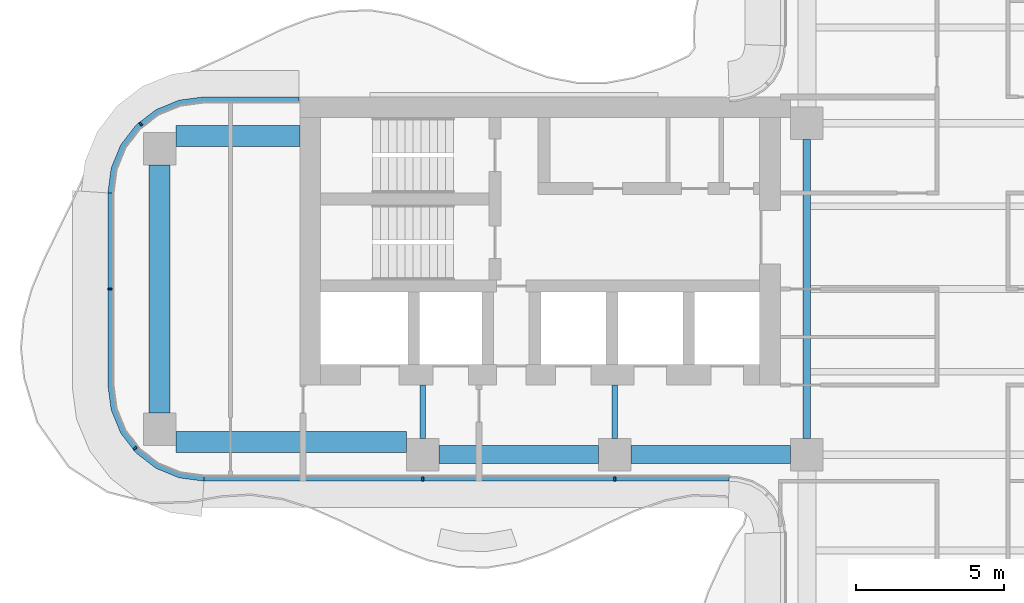
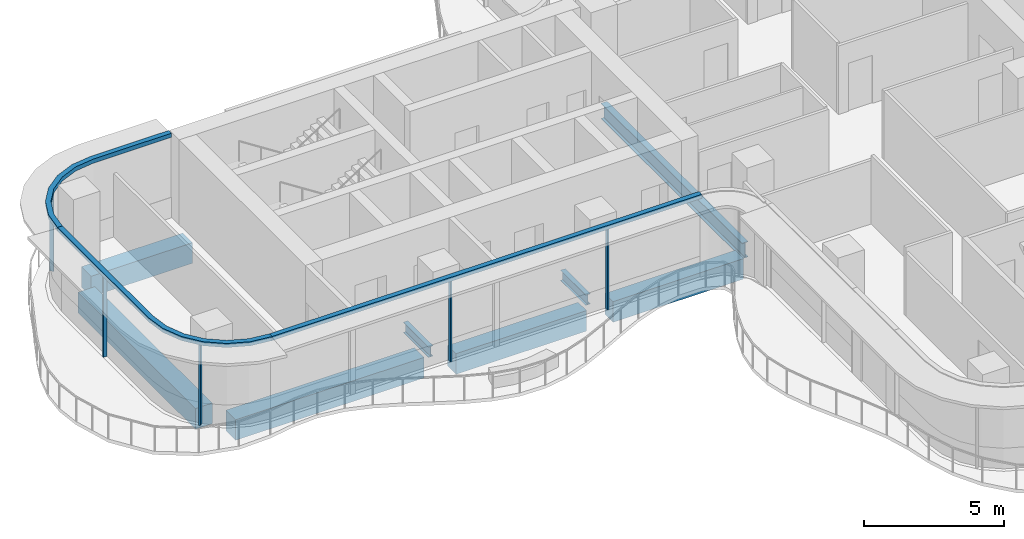
# One storey, part 3 of 16: 8 beams, 8 members, 3 elements without a shape of their own.
"""IFC4 building model written with IfcOpenShell, lengths in metres."""

from ifc_helpers import new_model, si_unit, direction, frame, origin, origin_2d, place, context, subcontext, project, spatial, polyline, rectangle, i_section, outline, extrude, source, transform, mapped, material, layer, layer_set, material_profile, profile_set, type_object, element, aggregate, save


model = new_model("IFC4")

# Units and contexts
model_context = context("Model", 3, precision=1e-05, world=origin(), true_north=direction((0.0, 1.0)))
body_context = subcontext(model_context, "Body", "Model", "MODEL_VIEW")
ifc_project = project(units=[si_unit("LENGTHUNIT", "METRE"), si_unit("AREAUNIT", "SQUARE_METRE"), si_unit("VOLUMEUNIT", "CUBIC_METRE"), si_unit("PLANEANGLEUNIT", "RADIAN"), si_unit("MASSUNIT", "GRAM", prefix="KILO")], contexts=[model_context])

# Site, building, storey
site_placement = place(None, origin())
site = spatial("IfcSite", under=ifc_project, at=site_placement, CompositionType="ELEMENT")
building_placement = place(site_placement, origin())
building = spatial("IfcBuilding", under=site, at=building_placement, Name="Trellis Farm Tower", CompositionType="ELEMENT")
storey_placement = place(building_placement, frame((0.0, 0.0, 248.0)))
storey = spatial("IfcBuildingStorey", under=building, at=storey_placement, Name="L55", CompositionType="ELEMENT", Elevation=248.0)

# Beams
ifc_material_1 = material(Name="Steel S355", Category="steel")
ifc_material_profile_1 = material_profile(ifc_material_1, i_section(OverallWidth=0.253662109375, OverallDepth=0.68359375, WebThickness=0.012451171875, FlangeThickness=0.021728515625, FilletRadius=0.01513671875, at=origin_2d()), Name="UB 686x254x140")
ifc_profile_set_1 = profile_set([ifc_material_profile_1], Name="Steel S355")
beam_type_1 = type_object("IfcBeamType", Name="UB 686x254x140", PredefinedType="BEAM", material=ifc_profile_set_1)
shared_shape_1 = source(origin(), body_context, "Body", "SweptSolid", [
    extrude(i_section(OverallWidth=0.253662109375, OverallDepth=0.68359375, WebThickness=0.012451171875, FlangeThickness=0.021728515625, FilletRadius=0.01513671875, at=origin_2d()), origin(), (0.0, 0.0, 1.0), 10.10009765625),
])
beam_1_placement = place(storey_placement, frame((-5.60009765625, -5.050048828125, -0.541748046875), z_axis=(0.0, 1.0, 0.0), x_axis=(-1.0, 0.0, 0.0)))
element("IfcBeam", 1, at=beam_1_placement, inside=storey, type_object=beam_type_1, Name="Girder", PredefinedType="BEAM", context=body_context, shape_type="MappedRepresentation", body=[
    mapped(shared_shape_1, transform((0.0, 0.0, 0.0))),
])
ifc_material_profile_2 = material_profile(ifc_material_1, i_section(OverallWidth=0.1904296875, OverallDepth=0.45703125, WebThickness=0.009033203125, FlangeThickness=0.014404296875, FilletRadius=0.01025390625, at=origin_2d()), Name="UB 457x191x74")
ifc_profile_set_2 = profile_set([ifc_material_profile_2], Name="Steel S355")
beam_type_2 = type_object("IfcBeamType", Name="UB 457x191x74", PredefinedType="BEAM", material=ifc_profile_set_2)
shared_shape_2 = source(origin(), body_context, "Body", "SweptSolid", [
    extrude(i_section(OverallWidth=0.1904296875, OverallDepth=0.45703125, WebThickness=0.009033203125, FlangeThickness=0.014404296875, FilletRadius=0.01025390625, at=origin_2d()), origin(), (0.0, 0.0, 1.0), 1.800048828125),
])
for number, where, z_axis, x_axis, name in (
    (2, (-18.60009765625, -5.050048828125, -0.428466796875), (0.0, 1.0, 0.0), (-1.0, 0.0, 0.0), "Girder"),
    (3, (-12.10009765625, -5.050048828125, -0.428466796875), (0.0, 1.0, 0.0), (-1.0, 0.0, 0.0), "Girder"),
):
    element("IfcBeam", number, at=place(storey_placement, frame(where, z_axis=z_axis, x_axis=x_axis)), inside=storey, type_object=beam_type_2, Name=name, PredefinedType="BEAM", context=body_context, shape_type="MappedRepresentation", body=[
        mapped(shared_shape_2, transform((0.0, 0.0, 0.0))),
    ])
ifc_material_2 = material(Name="Concrete C60/75", Category="concrete")
ifc_material_profile_3 = material_profile(ifc_material_2, rectangle(XDim=0.60009765625, YDim=0.89990234375, at=origin_2d()), Name="RC spandrel beam 600x900 C60/75")
ifc_profile_set_3 = profile_set([ifc_material_profile_3], Name="Concrete C60/75")
beam_type_3 = type_object("IfcBeamType", Name="RC spandrel beam 600x900 C60/75", PredefinedType="SPANDREL", material=ifc_profile_set_3)
shared_shape_3 = source(origin(), body_context, "Body", "SweptSolid", [
    extrude(rectangle(XDim=0.60009765625, YDim=0.89990234375, at=origin_2d()), origin(), (0.0, 0.0, 1.0), 5.400146484375),
])
for number, where, z_axis, x_axis, name in (
    (4, (-18.050048828125, -5.60009765625, -0.64990234375), (1.0, 0.0, 0.0), (0.0, 1.0, 0.0), "Girder"),
    (5, (-11.550048828125, -5.60009765625, -0.64990234375), (1.0, 0.0, 0.0), (0.0, 1.0, 0.0), "Girder"),
):
    element("IfcBeam", number, at=place(storey_placement, frame(where, z_axis=z_axis, x_axis=x_axis)), inside=storey, type_object=beam_type_3, Name=name, PredefinedType="SPANDREL", context=body_context, shape_type="MappedRepresentation", body=[
        mapped(shared_shape_3, transform((0.0, 0.0, 0.0))),
    ])
ifc_material_profile_4 = material_profile(ifc_material_2, rectangle(XDim=0.699951171875, YDim=0.89990234375, at=origin_2d()), Name="RC spandrel beam 700x900 C60/75")
ifc_profile_set_4 = profile_set([ifc_material_profile_4], Name="Concrete C60/75")
beam_type_4 = type_object("IfcBeamType", Name="RC spandrel beam 700x900 C60/75", PredefinedType="SPANDREL", material=ifc_profile_set_4)
shared_shape_4 = source(origin(), body_context, "Body", "SweptSolid", [
    extrude(rectangle(XDim=0.699951171875, YDim=0.89990234375, at=origin_2d()), origin(), (0.0, 0.0, 1.0), 8.39990234375),
])
beam_2_placement = place(storey_placement, frame((-27.5, -4.199951171875, -0.64990234375), z_axis=(0.0, 1.0, 0.0), x_axis=(-1.0, 0.0, 0.0)))
element("IfcBeam", 6, at=beam_2_placement, inside=storey, type_object=beam_type_4, Name="Girder", PredefinedType="SPANDREL", context=body_context, shape_type="MappedRepresentation", body=[
    mapped(shared_shape_4, transform((0.0, 0.0, 0.0))),
])
shared_shape_5 = source(origin(), body_context, "Body", "SweptSolid", [
    extrude(rectangle(XDim=0.699951171875, YDim=0.89990234375, at=origin_2d()), origin(), (0.0, 0.0, 1.0), 7.800048828125),
])
beam_3_placement = place(storey_placement, frame((-26.949951171875, -5.175048828125, -0.64990234375), z_axis=(1.0, 0.0, 0.0), x_axis=(0.0, 1.0, 0.0)))
element("IfcBeam", 7, at=beam_3_placement, inside=storey, type_object=beam_type_4, Name="Girder", PredefinedType="SPANDREL", context=body_context, shape_type="MappedRepresentation", body=[
    mapped(shared_shape_5, transform((0.0, 0.0, 0.0))),
])
shared_shape_6 = source(origin(), body_context, "Body", "SweptSolid", [
    extrude(rectangle(XDim=0.699951171875, YDim=0.89990234375, at=origin_2d()), origin(), (0.0, 0.0, 1.0), 4.199951171875),
])
beam_4_placement = place(storey_placement, frame((-26.949951171875, 5.175048828125, -0.64990234375), z_axis=(1.0, 0.0, 0.0), x_axis=(0.0, 1.0, 0.0)))
element("IfcBeam", 8, at=beam_4_placement, inside=storey, type_object=beam_type_4, Name="Girder", PredefinedType="SPANDREL", context=body_context, shape_type="MappedRepresentation", body=[
    mapped(shared_shape_6, transform((0.0, 0.0, 0.0))),
])

# Curtain wall, members
ifc_material_3 = material(Name="Aluminium and glass curtain wall", Category="aluminium")
ifc_layer_1 = layer(ifc_material_3, 0.18994140625)
ifc_layer_set_1 = layer_set([ifc_layer_1], Name="RIBBON CURTAIN WALL CW1")
curtain_wall_type = type_object("IfcCurtainWallType", Name="RIBBON CURTAIN WALL CW1", PredefinedType="NOTDEFINED", material=ifc_layer_set_1)
placement_1 = place(storey_placement, origin())
curtain_wall_1 = element("IfcCurtainWall", 9, at=placement_1, inside=storey, type_object=curtain_wall_type, Name="CW1 001", PredefinedType="NOTDEFINED")
ifc_material_4 = material(Name="Aluminium extrusion 6063-T6", Category="aluminium")
ifc_material_profile_5 = material_profile(ifc_material_4, rectangle(XDim=0.06005859375, YDim=0.14990234375, at=origin_2d()), Name="MULLION 60x150")
ifc_profile_set_5 = profile_set([ifc_material_profile_5], Name="Aluminium extrusion 6063-T6")
member_type_1 = type_object("IfcMemberType", Name="CW1 MULLION 60x150", PredefinedType="MULLION", material=ifc_profile_set_5)
shared_shape_7 = source(origin(), body_context, "Body", "SweptSolid", [
    extrude(rectangle(XDim=0.06005859375, YDim=0.14990234375, at=origin_2d()), origin(), (0.0, 0.0, 1.0), 3.52001953125),
])
member_1_placement = place(storey_placement, frame((-18.60009765625, -6.425048828125, 0.0), z_axis=(0.0, 0.0, 1.0), x_axis=(1.0, 0.0, 0.0)))
member_1 = element("IfcMember", 10, at=member_1_placement, type_object=member_type_1, Name="MU1 001-01", PredefinedType="MULLION", context=body_context, shape_type="MappedRepresentation", body=[
    mapped(shared_shape_7, transform((0.0, 0.0, 0.0))),
])
member_2_placement = place(storey_placement, frame((-12.10009765625, -6.425048828125, 0.0), z_axis=(0.0, 0.0, 1.0), x_axis=(1.0, 0.0, 0.0)))
member_2 = element("IfcMember", 11, at=member_2_placement, type_object=member_type_1, Name="MU1 001-02", PredefinedType="MULLION", context=body_context, shape_type="MappedRepresentation", body=[
    mapped(shared_shape_7, transform((0.0, 0.0, 0.0))),
])

# Curtain wall, member
curtain_wall_2 = element("IfcCurtainWall", 12, at=placement_1, inside=storey, type_object=curtain_wall_type, Name="CW1 012", PredefinedType="NOTDEFINED")
member_3_placement = place(storey_placement, frame((-28.135498046875, 5.578369140625, 0.0), z_axis=(0.0, 0.0, 1.0), x_axis=(-0.793353340291, -0.608761429009, 0.0)))
member_3 = element("IfcMember", 13, at=member_3_placement, type_object=member_type_1, Name="MU1 012-01", PredefinedType="MULLION", context=body_context, shape_type="MappedRepresentation", body=[
    mapped(shared_shape_7, transform((0.0, 0.0, 0.0))),
])

# Curtain wall, members
curtain_wall_3 = element("IfcCurtainWall", 14, at=placement_1, inside=storey, type_object=curtain_wall_type, Name="CW1 013", PredefinedType="NOTDEFINED")
member_4_placement = place(storey_placement, frame((-29.175048828125, 0.0, 0.0), z_axis=(0.0, 0.0, 1.0), x_axis=(0.0, -1.0, 0.0)))
member_4 = element("IfcMember", 15, at=member_4_placement, type_object=member_type_1, Name="MU1 013-01", PredefinedType="MULLION", context=body_context, shape_type="MappedRepresentation", body=[
    mapped(shared_shape_7, transform((0.0, 0.0, 0.0))),
])
member_5_placement = place(storey_placement, frame((-28.328369140625, -5.385498046875, 0.0), z_axis=(0.0, 0.0, 1.0), x_axis=(0.608761429009, -0.793353340291, 0.0)))
member_5 = element("IfcMember", 16, at=member_5_placement, type_object=member_type_1, Name="MU1 013-02", PredefinedType="MULLION", context=body_context, shape_type="MappedRepresentation", body=[
    mapped(shared_shape_7, transform((0.0, 0.0, 0.0))),
])

# Member
ifc_layer_2 = layer(ifc_material_4, 0.199951171875)
ifc_layer_set_2 = layer_set([ifc_layer_2], Name="Aluminium extrusion 6063-T6")
member_type_2 = type_object("IfcMemberType", Name="CW1 TRANSOM 200x180", PredefinedType="USERDEFINED", material=ifc_layer_set_2)
shared_shape_8 = source(origin(), body_context, "Body", "SweptSolid", [
    extrude(outline(polyline([(-26.0, -6.5), (-8.2314453125, -6.5), (-8.224853515625, -6.300048828125), (-25.98681640625, -6.300048828125), (-26.0, -6.5)])), origin(), (0.0, 0.0, 1.0), 0.179931640625),
])
placement_2 = place(storey_placement, frame((0.0, 0.0, 3.52001953125)))
member_6 = element("IfcMember", 17, at=placement_2, type_object=member_type_2, Name="TR1 001", ObjectType="TRANSOM", PredefinedType="USERDEFINED", context=body_context, shape_type="MappedRepresentation", body=[
    mapped(shared_shape_8, transform((0.0, 0.0, 0.0))),
])

aggregate(curtain_wall_1, [member_1, member_2, member_6])

shared_shape_9 = source(origin(), body_context, "Body", "SweptSolid", [
    extrude(outline(polyline([(-22.780029296875, 6.5), (-26.0, 6.5), (-26.841064453125, 6.38916015625), (-27.625, 6.064697265625), (-28.298095703125, 5.548095703125), (-28.814697265625, 4.875), (-29.13916015625, 4.091064453125), (-29.25, 3.25), (-29.050048828125, 3.23681640625), (-28.9443359375, 4.0390625), (-28.639892578125, 4.774169921875), (-28.155517578125, 5.405517578125), (-27.524169921875, 5.889892578125), (-26.7890625, 6.1943359375), (-25.98681640625, 6.300048828125), (-22.780029296875, 6.300048828125), (-22.780029296875, 6.5)])), origin(), (0.0, 0.0, 1.0), 0.179931640625),
])
member_7 = element("IfcMember", 18, at=placement_2, type_object=member_type_2, Name="TR1 012", ObjectType="TRANSOM", PredefinedType="USERDEFINED", context=body_context, shape_type="MappedRepresentation", body=[
    mapped(shared_shape_9, transform((0.0, 0.0, 0.0))),
])

aggregate(curtain_wall_2, [member_3, member_7])

shared_shape_10 = source(origin(), body_context, "Body", "SweptSolid", [
    extrude(outline(polyline([(-29.25, 3.25), (-29.25, -3.25), (-29.13916015625, -4.091064453125), (-28.814697265625, -4.875), (-28.298095703125, -5.548095703125), (-27.625, -6.064697265625), (-26.841064453125, -6.38916015625), (-26.0, -6.5), (-25.98681640625, -6.300048828125), (-26.7890625, -6.1943359375), (-27.524169921875, -5.889892578125), (-28.155517578125, -5.405517578125), (-28.639892578125, -4.774169921875), (-28.9443359375, -4.0390625), (-29.050048828125, -3.23681640625), (-29.050048828125, 3.23681640625), (-29.25, 3.25)])), origin(), (0.0, 0.0, 1.0), 0.179931640625),
])
member_8 = element("IfcMember", 19, at=placement_2, type_object=member_type_2, Name="TR1 013", ObjectType="TRANSOM", PredefinedType="USERDEFINED", context=body_context, shape_type="MappedRepresentation", body=[
    mapped(shared_shape_10, transform((0.0, 0.0, 0.0))),
])

aggregate(curtain_wall_3, [member_4, member_5, member_8])

save(model, "model.ifc")
